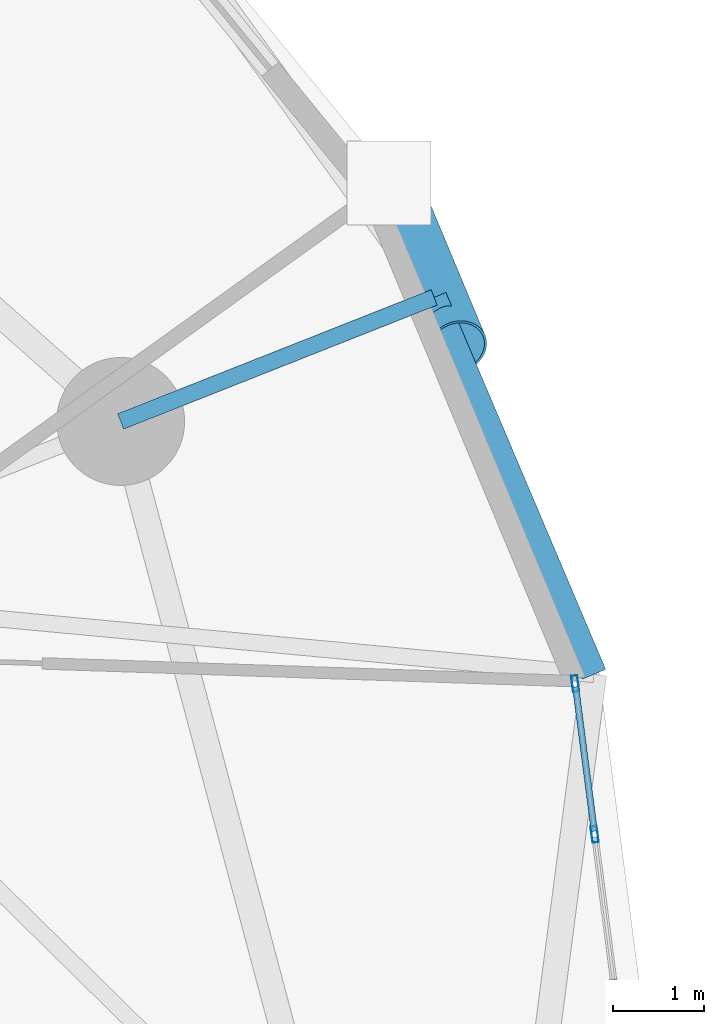
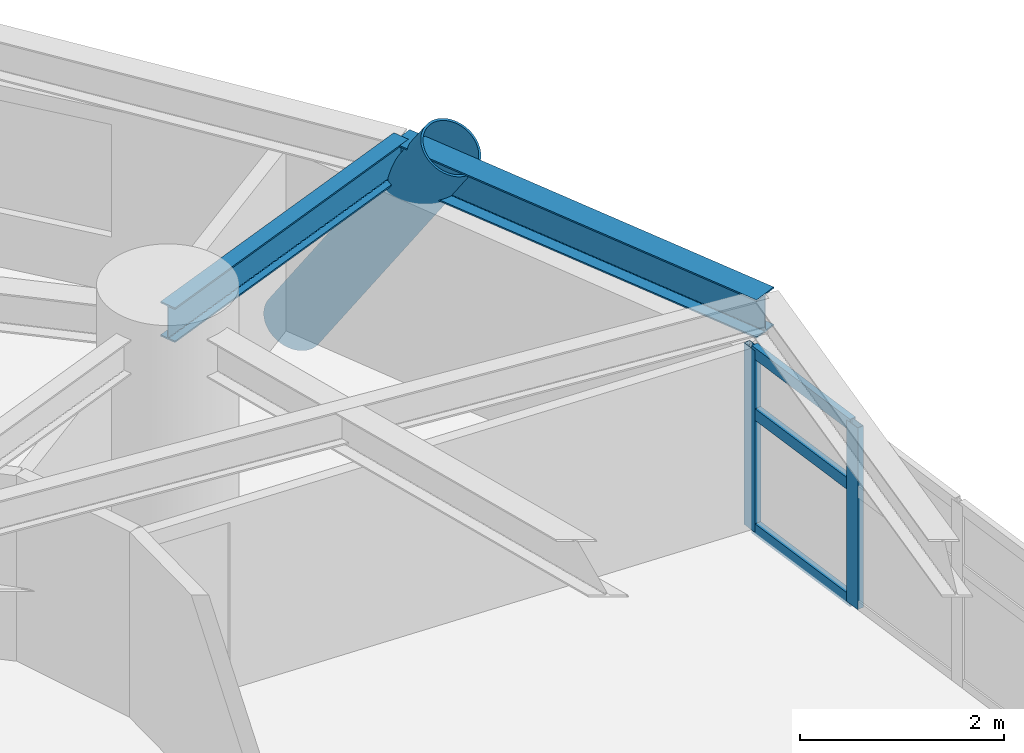
# One storey, part 4 of 19: 6 members, 2 beams, 1 element without a shape of its own.
"""IFC4 building model written with IfcOpenShell, lengths in metres."""

from ifc_helpers import new_model, si_unit, direction, frame, origin, origin_2d, place, context, subcontext, project, spatial, hollow_rectangle, hollow_circle, i_section, extrude, material, layer, layer_set, material_profile, profile_set, type_object, element, aggregate, save


model = new_model("IFC4")

# Units and contexts
model_context = context("Model", 3, precision=1e-05, world=origin(), true_north=direction((0.0, 1.0)))
body_context = subcontext(model_context, "Body", "Model", "MODEL_VIEW")
ifc_project = project(units=[si_unit("LENGTHUNIT", "METRE"), si_unit("AREAUNIT", "SQUARE_METRE"), si_unit("VOLUMEUNIT", "CUBIC_METRE"), si_unit("PLANEANGLEUNIT", "RADIAN"), si_unit("MASSUNIT", "GRAM", prefix="KILO")], contexts=[model_context])

# Site, building, storey
site_placement = place(None, origin())
site = spatial("IfcSite", under=ifc_project, at=site_placement, CompositionType="ELEMENT")
building_placement = place(site_placement, origin())
building = spatial("IfcBuilding", under=site, at=building_placement, Name="Cununo Teusaquillo Station Towers", CompositionType="ELEMENT")
storey_placement = place(building_placement, frame((0.0, 0.0, 84.699951171875)))
storey = spatial("IfcBuildingStorey", under=building, at=storey_placement, Name="L26", CompositionType="ELEMENT", Elevation=84.699951171875)

# Beams
ifc_material_1 = material(Name="Steel ASTM A572 Grade 50", Category="steel")
ifc_material_profile_1 = material_profile(ifc_material_1, i_section(OverallWidth=0.180908203125, OverallDepth=0.4169921875, WebThickness=0.010986328125, FlangeThickness=0.018310546875, FilletRadius=0.012939453125, at=origin_2d()), Name="W16X57")
ifc_profile_set_1 = profile_set([ifc_material_profile_1], Name="Steel ASTM A572 Grade 50")
beam_type_1 = type_object("IfcBeamType", Name="BM-RAD-G2", PredefinedType="BEAM", material=ifc_profile_set_1)
beam_1_placement = place(storey_placement, frame((26.347412109375, 33.228515625, 2.461669921875), z_axis=(0.929861788731, 0.367909029323, 0.0), x_axis=(-0.367909029323, 0.929861788731, 0.0)))
element("IfcBeam", 1, at=beam_1_placement, inside=storey, type_object=beam_type_1, Name="L26 Tower A Perimeter Overhang Girder 02B", PredefinedType="BEAM", context=body_context, shape_type="SweptSolid", body=[
    extrude(i_section(OverallWidth=0.180908203125, OverallDepth=0.4169921875, WebThickness=0.010986328125, FlangeThickness=0.018310546875, FilletRadius=0.012939453125, at=origin_2d()), origin(), (0.0, 0.0, 1.0), 3.690185546875),
])
ifc_material_2 = material(Name="Steel ASTM A572 Grade 50", Category="steel")
ifc_material_profile_2 = material_profile(ifc_material_2, i_section(OverallWidth=0.280029296875, OverallDepth=0.462890625, WebThickness=0.0107421875, FlangeThickness=0.017333984375, FilletRadius=0.013916015625, at=origin_2d()), Name="W18X76")
ifc_profile_set_2 = profile_set([ifc_material_profile_2], Name="Steel ASTM A572 Grade 50")
beam_type_2 = type_object("IfcBeamType", Name="BM-RING-Z2", PredefinedType="SPANDREL", material=ifc_profile_set_2)
beam_2_placement = place(storey_placement, frame((31.527587890625, 30.4609375, 2.4384765625), z_axis=(-0.390299356049, 0.920688010494, 0.0), x_axis=(-0.920688010494, -0.390299356049, 0.0)))
element("IfcBeam", 2, at=beam_2_placement, inside=storey, type_object=beam_type_2, Name="L26 Tower A Spandrel Ring Beam 02", PredefinedType="SPANDREL", context=body_context, shape_type="SweptSolid", body=[
    extrude(i_section(OverallWidth=0.280029296875, OverallDepth=0.462890625, WebThickness=0.0107421875, FlangeThickness=0.017333984375, FilletRadius=0.013916015625, at=origin_2d()), origin(), (0.0, 0.0, 1.0), 4.480712890625),
])

# Curtain wall, members
ifc_material_3 = material(Name="Ceramic-fritted dark low-E double glazing", Category="glass")
ifc_layer = layer(ifc_material_3, 0.179931640625)
ifc_layer_set = layer_set([ifc_layer], Name="Ceramic-fritted dark low-E double glazing")
curtain_wall_type = type_object("IfcCurtainWallType", Name="CW-SYS-04", PredefinedType="USERDEFINED", material=ifc_layer_set)
curtain_wall_placement = place(storey_placement, origin())
curtain_wall = element("IfcCurtainWall", 3, at=curtain_wall_placement, inside=storey, type_object=curtain_wall_type, Name="L26 Tower A Facade Curtain Wall C00", ObjectType="FRITTED GLAZING", PredefinedType="USERDEFINED")
ifc_material_4 = material(Name="Anodised dark bronze aluminium EN AW-6063-T6", Category="aluminium")
ifc_material_profile_3 = material_profile(ifc_material_4, hollow_rectangle(XDim=0.070068359375, YDim=0.179931640625, WallThickness=0.00390625, at=origin_2d()), Name="CW-MULL-70x180")
ifc_profile_set_3 = profile_set([ifc_material_profile_3], Name="Anodised dark bronze aluminium EN AW-6063-T6")
member_type_1 = type_object("IfcMemberType", Name="CWM-180", PredefinedType="MULLION", material=ifc_profile_set_3)
member_1_placement = place(storey_placement, frame((31.322998046875, 30.3583984375, 0.0), z_axis=(0.0, 0.0, 1.0), x_axis=(0.991730764367, 0.128335852387, 0.0)))
member_1 = element("IfcMember", 4, at=member_1_placement, type_object=member_type_1, Name="CW-04 mullion 1", PredefinedType="MULLION", context=body_context, shape_type="SweptSolid", body=[
    extrude(hollow_rectangle(XDim=0.070068359375, YDim=0.179931640625, WallThickness=0.00390625, at=origin_2d()), origin(), (0.0, 0.0, 1.0), 2.178955078125),
])
member_2_placement = place(storey_placement, frame((31.5361328125, 28.709716796875, 0.0), z_axis=(0.0, 0.0, 1.0), x_axis=(0.991730764367, 0.128335852387, 0.0)))
member_2 = element("IfcMember", 5, at=member_2_placement, type_object=member_type_1, Name="CW-04 mullion 2", PredefinedType="MULLION", context=body_context, shape_type="SweptSolid", body=[
    extrude(hollow_rectangle(XDim=0.070068359375, YDim=0.179931640625, WallThickness=0.00390625, at=origin_2d()), origin(), (0.0, 0.0, 1.0), 2.178955078125),
])
ifc_material_5 = material(Name="Anodised dark bronze aluminium EN AW-6063-T6", Category="aluminium")
ifc_material_profile_4 = material_profile(ifc_material_5, hollow_rectangle(XDim=0.070068359375, YDim=0.139892578125, WallThickness=0.00390625, at=origin_2d()), Name="CW-TRAN-70x140")
ifc_profile_set_4 = profile_set([ifc_material_profile_4], Name="Anodised dark bronze aluminium EN AW-6063-T6")
member_type_2 = type_object("IfcMemberType", Name="CWT-140", PredefinedType="USERDEFINED", material=ifc_profile_set_4)
member_3_placement = place(storey_placement, frame((31.327392578125, 30.323486328125, 0.03515625), z_axis=(0.128336210724, -0.991730717996, 0.0), x_axis=(0.991730717996, 0.128336210724, 0.0)))
member_3 = element("IfcMember", 6, at=member_3_placement, type_object=member_type_2, Name="CW-04 transom 1.1", ObjectType="TRANSOM", PredefinedType="USERDEFINED", context=body_context, shape_type="SweptSolid", body=[
    extrude(hollow_rectangle(XDim=0.070068359375, YDim=0.139892578125, WallThickness=0.00390625, at=origin_2d()), origin(), (0.0, 0.0, 1.0), 1.59228515625),
])
member_4_placement = place(storey_placement, frame((31.327392578125, 30.323486328125, 1.416015625), z_axis=(0.128336210724, -0.991730717996, 0.0), x_axis=(0.991730717996, 0.128336210724, 0.0)))
member_4 = element("IfcMember", 7, at=member_4_placement, type_object=member_type_2, Name="CW-04 transom 1.2", ObjectType="TRANSOM", PredefinedType="USERDEFINED", context=body_context, shape_type="SweptSolid", body=[
    extrude(hollow_rectangle(XDim=0.070068359375, YDim=0.139892578125, WallThickness=0.00390625, at=origin_2d()), origin(), (0.0, 0.0, 1.0), 1.59228515625),
])
member_5_placement = place(storey_placement, frame((31.327392578125, 30.323486328125, 2.14404296875), z_axis=(0.128336210724, -0.991730717996, 0.0), x_axis=(0.991730717996, 0.128336210724, 0.0)))
member_5 = element("IfcMember", 8, at=member_5_placement, type_object=member_type_2, Name="CW-04 transom 1.3", ObjectType="TRANSOM", PredefinedType="USERDEFINED", context=body_context, shape_type="SweptSolid", body=[
    extrude(hollow_rectangle(XDim=0.070068359375, YDim=0.139892578125, WallThickness=0.00390625, at=origin_2d()), origin(), (0.0, 0.0, 1.0), 1.59228515625),
])
aggregate(curtain_wall, [member_1, member_2, member_3, member_4, member_5])

# Member
ifc_material_6 = material(Name="Steel EN 10025-2 S355J2", Category="steel")
ifc_material_profile_5 = material_profile(ifc_material_6, hollow_circle(Radius=0.330078125, WallThickness=0.02490234375, at=origin_2d()), Name="CHS 660x25")
ifc_profile_set_5 = profile_set([ifc_material_profile_5], Name="Steel EN 10025-2 S355J2")
member_type_3 = type_object("IfcMemberType", Name="MBR-DIAG-Z2", PredefinedType="BRACE", material=ifc_profile_set_5)
member_6_placement = place(storey_placement, frame((29.283203125, 35.83837890625, -0.139892578125), z_axis=(0.213880258627, -0.512335679883, 0.831725547334), x_axis=(0.922816406816, 0.385240028179, 0.0)))
element("IfcMember", 9, at=member_6_placement, inside=storey, type_object=member_type_3, Name="L26 Tower A Folded-Zigzag Diagrid Tube C01", PredefinedType="BRACE", context=body_context, shape_type="SweptSolid", body=[
    extrude(hollow_circle(Radius=0.330078125, WallThickness=0.02490234375, at=origin_2d()), origin(), (0.0, 0.0, 1.0), 3.49853515625),
])

save(model, "model.ifc")
